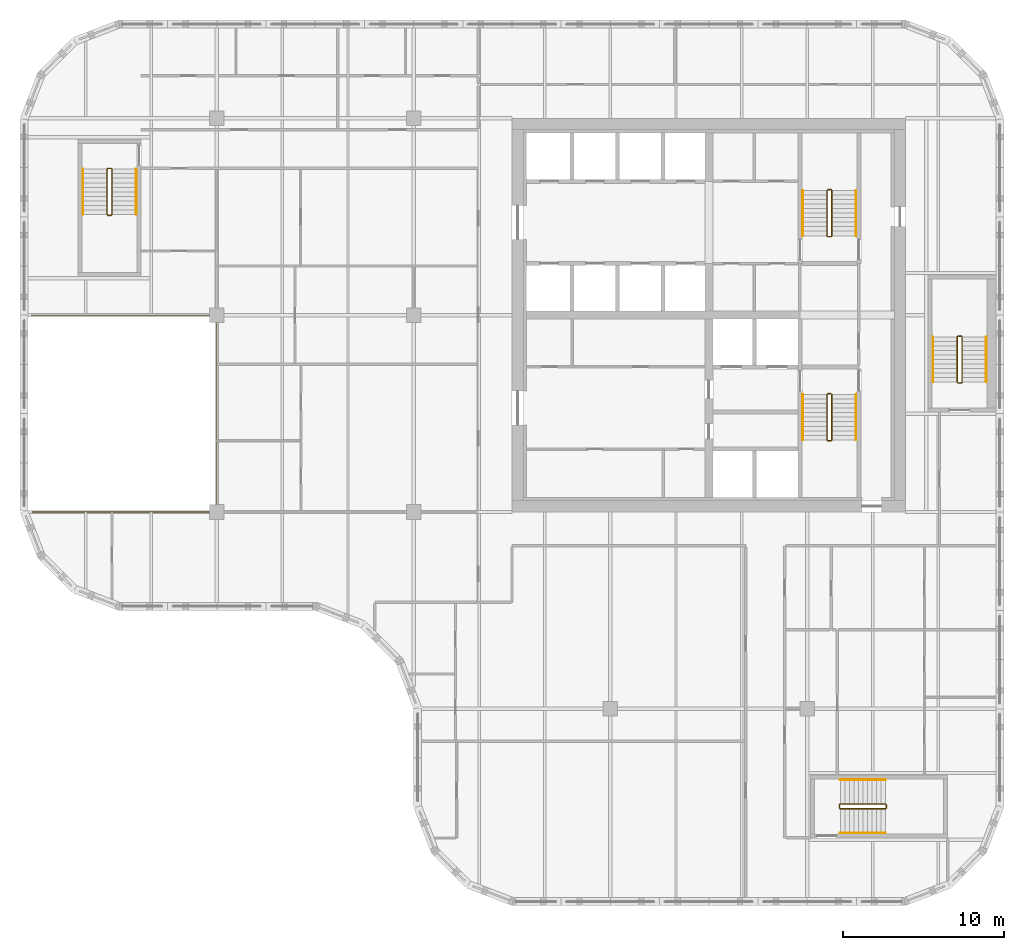
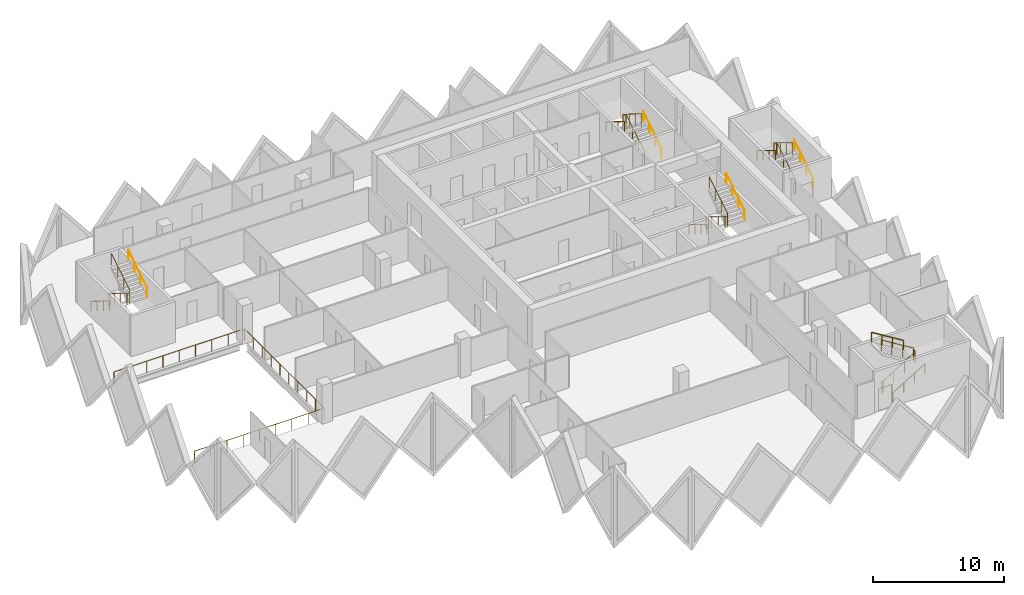
# One storey, part 12 of 12: 16 railings.
"""IFC4 building model written with IfcOpenShell, lengths in metres."""

from ifc_helpers import new_model, si_unit, direction, frame, origin, origin_2d, place, context, subcontext, project, spatial, circle, extrude, material, type_object, element, save


model = new_model("IFC4")

# Units and contexts
model_context = context("Model", 3, precision=1e-05, world=origin(), true_north=direction((0.0, 1.0)))
body_context = subcontext(model_context, "Body", "Model", "MODEL_VIEW")
ifc_project = project(units=[si_unit("LENGTHUNIT", "METRE"), si_unit("AREAUNIT", "SQUARE_METRE"), si_unit("VOLUMEUNIT", "CUBIC_METRE"), si_unit("PLANEANGLEUNIT", "RADIAN"), si_unit("MASSUNIT", "GRAM", prefix="KILO")], contexts=[model_context])

# Site, building, storey
site_placement = place(None, origin())
site = spatial("IfcSite", under=ifc_project, at=site_placement, CompositionType="ELEMENT")
building_placement = place(site_placement, origin())
building = spatial("IfcBuilding", under=site, at=building_placement, Name="Tessera Gate Towers", CompositionType="ELEMENT")
storey_placement = place(building_placement, frame((0.0, 0.0, 135.39990234375)))
storey = spatial("IfcBuildingStorey", under=building, at=storey_placement, Name="L33", CompositionType="ELEMENT", Elevation=135.39990234375)

# Railings
ifc_material_1 = material(Name="Toughened glass with stainless steel handrail", Category="steel")
railing_type_1 = type_object("IfcRailingType", Name="GUARD 1100 GLASS BALUSTRADE", PredefinedType="GUARDRAIL", material=ifc_material_1)
railing_1_placement = place(storey_placement, frame((0.750244140625, 24.39990234375, 0.0)))
element("IfcRailing", 1, at=railing_1_placement, inside=storey, type_object=railing_type_1, Name="Guard", PredefinedType="GUARDRAIL", context=body_context, shape_type="SweptSolid", body=[
    extrude(circle(Radius=0.02490234375, at=origin_2d()), frame((0.0, 0.0, 1.0751953125), z_axis=(1.0, 0.0, 0.0), x_axis=(0.0, 1.0, 0.0)), (0.0, 0.0, 1.0), 11.44970703125),
    extrude(circle(Radius=0.02490234375, at=origin_2d()), frame((11.44970703125, 0.0, 1.0751953125), z_axis=(0.0, 1.0, 0.0), x_axis=(-1.0, 0.0, 0.0)), (0.0, 0.0, 1.0), 12.2001953125),
    extrude(circle(Radius=0.02490234375, at=origin_2d()), frame((11.44970703125, 12.2001953125, 1.0751953125), z_axis=(-1.0, 0.0, 0.0), x_axis=(0.0, -1.0, 0.0)), (0.0, 0.0, 1.0), 11.5),
    extrude(circle(Radius=0.02490234375, at=origin_2d()), origin(), (0.0, 0.0, 1.0), 1.050048828125),
    extrude(circle(Radius=0.02490234375, at=origin_2d()), frame((1.43115234375, 0.0, 0.0)), (0.0, 0.0, 1.0), 1.050048828125),
    extrude(circle(Radius=0.02490234375, at=origin_2d()), frame((2.8623046875, 0.0, 0.0)), (0.0, 0.0, 1.0), 1.050048828125),
    extrude(circle(Radius=0.02490234375, at=origin_2d()), frame((4.293701171875, 0.0, 0.0)), (0.0, 0.0, 1.0), 1.050048828125),
    extrude(circle(Radius=0.02490234375, at=origin_2d()), frame((5.724853515625, 0.0, 0.0)), (0.0, 0.0, 1.0), 1.050048828125),
    extrude(circle(Radius=0.02490234375, at=origin_2d()), frame((7.156005859375, 0.0, 0.0)), (0.0, 0.0, 1.0), 1.050048828125),
    extrude(circle(Radius=0.02490234375, at=origin_2d()), frame((8.58740234375, 0.0, 0.0)), (0.0, 0.0, 1.0), 1.050048828125),
    extrude(circle(Radius=0.02490234375, at=origin_2d()), frame((10.0185546875, 0.0, 0.0)), (0.0, 0.0, 1.0), 1.050048828125),
    extrude(circle(Radius=0.02490234375, at=origin_2d()), frame((11.44970703125, 0.0, 0.0)), (0.0, 0.0, 1.0), 1.050048828125),
    extrude(circle(Radius=0.02490234375, at=origin_2d()), frame((11.44970703125, 1.35546875, 0.0)), (0.0, 0.0, 1.0), 1.050048828125),
    extrude(circle(Radius=0.02490234375, at=origin_2d()), frame((11.44970703125, 2.711181640625, 0.0)), (0.0, 0.0, 1.0), 1.050048828125),
    extrude(circle(Radius=0.02490234375, at=origin_2d()), frame((11.44970703125, 4.066650390625, 0.0)), (0.0, 0.0, 1.0), 1.050048828125),
    extrude(circle(Radius=0.02490234375, at=origin_2d()), frame((11.44970703125, 5.42236328125, 0.0)), (0.0, 0.0, 1.0), 1.050048828125),
    extrude(circle(Radius=0.02490234375, at=origin_2d()), frame((11.44970703125, 6.77783203125, 0.0)), (0.0, 0.0, 1.0), 1.050048828125),
    extrude(circle(Radius=0.02490234375, at=origin_2d()), frame((11.44970703125, 8.133544921875, 0.0)), (0.0, 0.0, 1.0), 1.050048828125),
    extrude(circle(Radius=0.02490234375, at=origin_2d()), frame((11.44970703125, 9.489013671875, 0.0)), (0.0, 0.0, 1.0), 1.050048828125),
    extrude(circle(Radius=0.02490234375, at=origin_2d()), frame((11.44970703125, 10.8447265625, 0.0)), (0.0, 0.0, 1.0), 1.050048828125),
    extrude(circle(Radius=0.02490234375, at=origin_2d()), frame((11.44970703125, 12.2001953125, 0.0)), (0.0, 0.0, 1.0), 1.050048828125),
    extrude(circle(Radius=0.02490234375, at=origin_2d()), frame((10.01220703125, 12.2001953125, 0.0)), (0.0, 0.0, 1.0), 1.050048828125),
    extrude(circle(Radius=0.02490234375, at=origin_2d()), frame((8.57470703125, 12.2001953125, 0.0)), (0.0, 0.0, 1.0), 1.050048828125),
    extrude(circle(Radius=0.02490234375, at=origin_2d()), frame((7.13720703125, 12.2001953125, 0.0)), (0.0, 0.0, 1.0), 1.050048828125),
    extrude(circle(Radius=0.02490234375, at=origin_2d()), frame((5.69970703125, 12.2001953125, 0.0)), (0.0, 0.0, 1.0), 1.050048828125),
    extrude(circle(Radius=0.02490234375, at=origin_2d()), frame((4.26220703125, 12.2001953125, 0.0)), (0.0, 0.0, 1.0), 1.050048828125),
    extrude(circle(Radius=0.02490234375, at=origin_2d()), frame((2.82470703125, 12.2001953125, 0.0)), (0.0, 0.0, 1.0), 1.050048828125),
    extrude(circle(Radius=0.02490234375, at=origin_2d()), frame((1.38720703125, 12.2001953125, 0.0)), (0.0, 0.0, 1.0), 1.050048828125),
    extrude(circle(Radius=0.02490234375, at=origin_2d()), frame((-0.05029296875, 12.2001953125, 0.0)), (0.0, 0.0, 1.0), 1.050048828125),
])
ifc_material_2 = material(Name="Steel 350W", Category="steel")
railing_type_2 = type_object("IfcRailingType", Name="STAIR GUARD 1100", PredefinedType="GUARDRAIL", material=ifc_material_2)
railing_2_placement = place(storey_placement, frame((50.27490234375, 31.72509765625, 0.0)))
element("IfcRailing", 2, at=railing_2_placement, inside=storey, type_object=railing_type_2, Name="L33 ST1 stair guard 1", PredefinedType="GUARDRAIL", context=body_context, shape_type="SweptSolid", body=[
    extrude(circle(Radius=0.02392578125, at=origin_2d()), frame((0.0, 0.0, 1.076171875), z_axis=(-1.0, 0.0, 0.0), x_axis=(0.0, -1.0, 0.0)), (0.0, 0.0, 1.0), 0.199951171875),
    extrude(circle(Radius=0.02392578125, at=origin_2d()), frame((-0.199951171875, 0.0, 1.076171875), z_axis=(-0.267953482034, -0.267953482034, 0.925419830635), x_axis=(0.707106781187, -0.707106781187, 0.0)), (0.0, 0.0, 1.0), 0.186767578125),
    extrude(circle(Radius=0.02392578125, at=origin_2d()), frame((-0.25, -0.050048828125, 1.2490234375), z_axis=(0.0, -0.851089632645, 0.525020415988), x_axis=(1.0, 0.0, 0.0)), (0.0, 0.0, 1.0), 3.2900390625),
    extrude(circle(Radius=0.02392578125, at=origin_2d()), frame((-0.25, -2.85009765625, 2.97607421875), z_axis=(0.707106781187, -0.707106781187, 0.0), x_axis=(0.707106781187, 0.707106781187, 0.0)), (0.0, 0.0, 1.0), 0.07080078125),
    extrude(circle(Radius=0.02392578125, at=origin_2d()), frame((-0.199951171875, -2.900146484375, 2.97607421875), z_axis=(1.0, 0.0, 0.0), x_axis=(0.0, 1.0, 0.0)), (0.0, 0.0, 1.0), 0.199951171875),
    extrude(circle(Radius=0.02392578125, at=origin_2d()), frame((0.0, -2.900146484375, 2.97607421875), z_axis=(0.268277960024, 0.268277960024, 0.925231793839), x_axis=(-0.707106781187, 0.707106781187, 0.0)), (0.0, 0.0, 1.0), 0.1865234375),
    extrude(circle(Radius=0.02392578125, at=origin_2d()), frame((0.050048828125, -2.85009765625, 3.14892578125), z_axis=(0.0, 0.851089632645, 0.525020415988), x_axis=(-1.0, 0.0, 0.0)), (0.0, 0.0, 1.0), 3.2900390625),
    extrude(circle(Radius=0.02099609375, at=origin_2d()), origin(), (0.0, 0.0, 1.0), 1.052001953125),
    extrude(circle(Radius=0.02099609375, at=origin_2d()), frame((-0.199951171875, 0.0, 0.0)), (0.0, 0.0, 1.0), 1.052001953125),
    extrude(circle(Radius=0.02099609375, at=origin_2d()), frame((-0.25, -0.050048828125, 0.1728515625)), (0.0, 0.0, 1.0), 1.052001953125),
    extrude(circle(Radius=0.02099609375, at=origin_2d()), frame((-0.25, -0.9833984375, 0.74853515625)), (0.0, 0.0, 1.0), 1.052001953125),
    extrude(circle(Radius=0.02099609375, at=origin_2d()), frame((-0.25, -1.916748046875, 1.324462890625)), (0.0, 0.0, 1.0), 1.052001953125),
    extrude(circle(Radius=0.02099609375, at=origin_2d()), frame((-0.25, -2.85009765625, 1.900146484375)), (0.0, 0.0, 1.0), 1.052001953125),
    extrude(circle(Radius=0.02099609375, at=origin_2d()), frame((-0.199951171875, -2.900146484375, 1.900146484375)), (0.0, 0.0, 1.0), 1.052001953125),
    extrude(circle(Radius=0.02099609375, at=origin_2d()), frame((0.0, -2.900146484375, 1.900146484375)), (0.0, 0.0, 1.0), 1.052001953125),
    extrude(circle(Radius=0.02099609375, at=origin_2d()), frame((0.050048828125, -2.85009765625, 2.07275390625)), (0.0, 0.0, 1.0), 1.052001953125),
    extrude(circle(Radius=0.02099609375, at=origin_2d()), frame((0.050048828125, -1.916748046875, 2.6484375)), (0.0, 0.0, 1.0), 1.052001953125),
    extrude(circle(Radius=0.02099609375, at=origin_2d()), frame((0.050048828125, -0.9833984375, 3.224365234375)), (0.0, 0.0, 1.0), 1.052001953125),
    extrude(circle(Radius=0.02099609375, at=origin_2d()), frame((0.050048828125, -0.050048828125, 3.800048828125)), (0.0, 0.0, 1.0), 1.052001953125),
])
railing_3_placement = place(storey_placement, frame((50.074951171875, 41.47509765625, 0.0)))
element("IfcRailing", 3, at=railing_3_placement, inside=storey, type_object=railing_type_2, Name="L33 ST2 stair guard 1", PredefinedType="GUARDRAIL", context=body_context, shape_type="SweptSolid", body=[
    extrude(circle(Radius=0.02392578125, at=origin_2d()), frame((0.0, 0.0, 1.076171875), z_axis=(1.0, 0.0, 0.0), x_axis=(0.0, 1.0, 0.0)), (0.0, 0.0, 1.0), 0.199951171875),
    extrude(circle(Radius=0.02392578125, at=origin_2d()), frame((0.199951171875, 0.0, 1.076171875), z_axis=(0.268047150085, 0.266739603011, 0.925743328097), x_axis=(-0.705375805398, 0.708833529934, 0.0)), (0.0, 0.0, 1.0), 0.186767578125),
    extrude(circle(Radius=0.02392578125, at=origin_2d()), frame((0.25, 0.0498046875, 1.2490234375), z_axis=(0.0, 0.851089632645, 0.525020415988), x_axis=(-1.0, 0.0, 0.0)), (0.0, 0.0, 1.0), 3.2900390625),
    extrude(circle(Radius=0.02392578125, at=origin_2d()), frame((0.25, 2.849853515625, 2.97607421875), z_axis=(-0.707106781187, 0.707106781187, 0.0), x_axis=(-0.707106781187, -0.707106781187, 0.0)), (0.0, 0.0, 1.0), 0.07080078125),
    extrude(circle(Radius=0.02392578125, at=origin_2d()), frame((0.199951171875, 2.89990234375, 2.97607421875), z_axis=(-1.0, 0.0, 0.0), x_axis=(0.0, -1.0, 0.0)), (0.0, 0.0, 1.0), 0.199951171875),
    extrude(circle(Radius=0.02392578125, at=origin_2d()), frame((0.0, 2.89990234375, 2.97607421875), z_axis=(-0.268277960024, -0.268277960024, 0.925231793839), x_axis=(0.707106781187, -0.707106781187, 0.0)), (0.0, 0.0, 1.0), 0.1865234375),
    extrude(circle(Radius=0.02392578125, at=origin_2d()), frame((-0.050048828125, 2.849853515625, 3.14892578125), z_axis=(0.0, -0.851089632645, 0.525020415988), x_axis=(1.0, 0.0, 0.0)), (0.0, 0.0, 1.0), 3.2900390625),
    extrude(circle(Radius=0.02099609375, at=origin_2d()), origin(), (0.0, 0.0, 1.0), 1.052001953125),
    extrude(circle(Radius=0.02099609375, at=origin_2d()), frame((0.199951171875, 0.0, 0.0)), (0.0, 0.0, 1.0), 1.052001953125),
    extrude(circle(Radius=0.02099609375, at=origin_2d()), frame((0.25, 0.0498046875, 0.1728515625)), (0.0, 0.0, 1.0), 1.052001953125),
    extrude(circle(Radius=0.02099609375, at=origin_2d()), frame((0.25, 0.983154296875, 0.74853515625)), (0.0, 0.0, 1.0), 1.052001953125),
    extrude(circle(Radius=0.02099609375, at=origin_2d()), frame((0.25, 1.91650390625, 1.324462890625)), (0.0, 0.0, 1.0), 1.052001953125),
    extrude(circle(Radius=0.02099609375, at=origin_2d()), frame((0.25, 2.849853515625, 1.900146484375)), (0.0, 0.0, 1.0), 1.052001953125),
    extrude(circle(Radius=0.02099609375, at=origin_2d()), frame((0.199951171875, 2.89990234375, 1.900146484375)), (0.0, 0.0, 1.0), 1.052001953125),
    extrude(circle(Radius=0.02099609375, at=origin_2d()), frame((0.0, 2.89990234375, 1.900146484375)), (0.0, 0.0, 1.0), 1.052001953125),
    extrude(circle(Radius=0.02099609375, at=origin_2d()), frame((-0.050048828125, 2.849853515625, 2.07275390625)), (0.0, 0.0, 1.0), 1.052001953125),
    extrude(circle(Radius=0.02099609375, at=origin_2d()), frame((-0.050048828125, 1.91650390625, 2.6484375)), (0.0, 0.0, 1.0), 1.052001953125),
    extrude(circle(Radius=0.02099609375, at=origin_2d()), frame((-0.050048828125, 0.983154296875, 3.224365234375)), (0.0, 0.0, 1.0), 1.052001953125),
    extrude(circle(Radius=0.02099609375, at=origin_2d()), frame((-0.050048828125, 0.0498046875, 3.800048828125)), (0.0, 0.0, 1.0), 1.052001953125),
])
railing_4_placement = place(storey_placement, frame((5.64990234375, 45.699951171875, 0.0)))
element("IfcRailing", 4, at=railing_4_placement, inside=storey, type_object=railing_type_2, Name="L33 ST3 stair guard 1", PredefinedType="GUARDRAIL", context=body_context, shape_type="SweptSolid", body=[
    extrude(circle(Radius=0.02392578125, at=origin_2d()), frame((0.0, 0.0, 1.076171875), z_axis=(-1.0, 0.0, 0.0), x_axis=(0.0, -1.0, 0.0)), (0.0, 0.0, 1.0), 0.199951171875),
    extrude(circle(Radius=0.02392578125, at=origin_2d()), frame((-0.199951171875, 0.0, 1.076171875), z_axis=(-0.267953482034, -0.267953482034, 0.925419830635), x_axis=(0.707106781187, -0.707106781187, 0.0)), (0.0, 0.0, 1.0), 0.186767578125),
    extrude(circle(Radius=0.02392578125, at=origin_2d()), frame((-0.25, -0.050048828125, 1.2490234375), z_axis=(0.0, -0.851069175582, 0.525053576669), x_axis=(1.0, 0.0, 0.0)), (0.0, 0.0, 1.0), 3.289794921875),
    extrude(circle(Radius=0.02392578125, at=origin_2d()), frame((-0.25, -2.849853515625, 2.97607421875), z_axis=(0.707106781187, -0.707106781187, 0.0), x_axis=(0.707106781187, 0.707106781187, 0.0)), (0.0, 0.0, 1.0), 0.07080078125),
    extrude(circle(Radius=0.02392578125, at=origin_2d()), frame((-0.199951171875, -2.89990234375, 2.97607421875), z_axis=(1.0, 0.0, 0.0), x_axis=(0.0, 1.0, 0.0)), (0.0, 0.0, 1.0), 0.199951171875),
    extrude(circle(Radius=0.02392578125, at=origin_2d()), frame((0.0, -2.89990234375, 2.97607421875), z_axis=(0.268277960024, 0.268277960024, 0.925231793839), x_axis=(-0.707106781187, 0.707106781187, 0.0)), (0.0, 0.0, 1.0), 0.1865234375),
    extrude(circle(Radius=0.02392578125, at=origin_2d()), frame((0.050048828125, -2.849853515625, 3.14892578125), z_axis=(0.0, 0.851069175582, 0.525053576669), x_axis=(-1.0, 0.0, 0.0)), (0.0, 0.0, 1.0), 3.289794921875),
    extrude(circle(Radius=0.02099609375, at=origin_2d()), origin(), (0.0, 0.0, 1.0), 1.052001953125),
    extrude(circle(Radius=0.02099609375, at=origin_2d()), frame((-0.199951171875, 0.0, 0.0)), (0.0, 0.0, 1.0), 1.052001953125),
    extrude(circle(Radius=0.02099609375, at=origin_2d()), frame((-0.25, -0.050048828125, 0.1728515625)), (0.0, 0.0, 1.0), 1.052001953125),
    extrude(circle(Radius=0.02099609375, at=origin_2d()), frame((-0.25, -0.9833984375, 0.74853515625)), (0.0, 0.0, 1.0), 1.052001953125),
    extrude(circle(Radius=0.02099609375, at=origin_2d()), frame((-0.25, -1.91650390625, 1.324462890625)), (0.0, 0.0, 1.0), 1.052001953125),
    extrude(circle(Radius=0.02099609375, at=origin_2d()), frame((-0.25, -2.849853515625, 1.900146484375)), (0.0, 0.0, 1.0), 1.052001953125),
    extrude(circle(Radius=0.02099609375, at=origin_2d()), frame((-0.199951171875, -2.89990234375, 1.900146484375)), (0.0, 0.0, 1.0), 1.052001953125),
    extrude(circle(Radius=0.02099609375, at=origin_2d()), frame((0.0, -2.89990234375, 1.900146484375)), (0.0, 0.0, 1.0), 1.052001953125),
    extrude(circle(Radius=0.02099609375, at=origin_2d()), frame((0.050048828125, -2.849853515625, 2.07275390625)), (0.0, 0.0, 1.0), 1.052001953125),
    extrude(circle(Radius=0.02099609375, at=origin_2d()), frame((0.050048828125, -1.91650390625, 2.6484375)), (0.0, 0.0, 1.0), 1.052001953125),
    extrude(circle(Radius=0.02099609375, at=origin_2d()), frame((0.050048828125, -0.9833984375, 3.224365234375)), (0.0, 0.0, 1.0), 1.052001953125),
    extrude(circle(Radius=0.02099609375, at=origin_2d()), frame((0.050048828125, -0.050048828125, 3.800048828125)), (0.0, 0.0, 1.0), 1.052001953125),
])
railing_5_placement = place(storey_placement, frame((50.800048828125, 6.25, 0.0)))
element("IfcRailing", 5, at=railing_5_placement, inside=storey, type_object=railing_type_2, Name="L33 ST4 stair guard 1", PredefinedType="GUARDRAIL", context=body_context, shape_type="SweptSolid", body=[
    extrude(circle(Radius=0.02392578125, at=origin_2d()), frame((0.0, 0.0, 1.076171875), z_axis=(0.0, -1.0, 0.0), x_axis=(1.0, 0.0, 0.0)), (0.0, 0.0, 1.0), 0.199951171875),
    extrude(circle(Radius=0.02392578125, at=origin_2d()), frame((0.0, -0.199951171875, 1.076171875), z_axis=(0.267953482034, -0.267953482034, 0.925419830635), x_axis=(0.707106781187, 0.707106781187, 0.0)), (0.0, 0.0, 1.0), 0.186767578125),
    extrude(circle(Radius=0.02392578125, at=origin_2d()), frame((0.050048828125, -0.25, 1.2490234375), z_axis=(0.851069175582, 0.0, 0.525053576669), x_axis=(0.0, 1.0, 0.0)), (0.0, 0.0, 1.0), 3.289794921875),
    extrude(circle(Radius=0.02392578125, at=origin_2d()), frame((2.849853515625, -0.25, 2.97607421875), z_axis=(0.707106781187, 0.707106781187, 0.0), x_axis=(-0.707106781187, 0.707106781187, 0.0)), (0.0, 0.0, 1.0), 0.07080078125),
    extrude(circle(Radius=0.02392578125, at=origin_2d()), frame((2.89990234375, -0.199951171875, 2.97607421875), z_axis=(0.0, 1.0, 0.0), x_axis=(-1.0, 0.0, 0.0)), (0.0, 0.0, 1.0), 0.199951171875),
    extrude(circle(Radius=0.02392578125, at=origin_2d()), frame((2.89990234375, 0.0, 2.97607421875), z_axis=(-0.268277960024, 0.268277960024, 0.925231793839), x_axis=(-0.707106781187, -0.707106781187, 0.0)), (0.0, 0.0, 1.0), 0.1865234375),
    extrude(circle(Radius=0.02392578125, at=origin_2d()), frame((2.849853515625, 0.050048828125, 3.14892578125), z_axis=(-0.851069175582, 0.0, 0.525053576669), x_axis=(0.0, -1.0, 0.0)), (0.0, 0.0, 1.0), 3.289794921875),
    extrude(circle(Radius=0.02099609375, at=origin_2d()), origin(), (0.0, 0.0, 1.0), 1.052001953125),
    extrude(circle(Radius=0.02099609375, at=origin_2d()), frame((0.0, -0.199951171875, 0.0)), (0.0, 0.0, 1.0), 1.052001953125),
    extrude(circle(Radius=0.02099609375, at=origin_2d()), frame((0.050048828125, -0.25, 0.1728515625)), (0.0, 0.0, 1.0), 1.052001953125),
    extrude(circle(Radius=0.02099609375, at=origin_2d()), frame((0.9833984375, -0.25, 0.74853515625)), (0.0, 0.0, 1.0), 1.052001953125),
    extrude(circle(Radius=0.02099609375, at=origin_2d()), frame((1.91650390625, -0.25, 1.324462890625)), (0.0, 0.0, 1.0), 1.052001953125),
    extrude(circle(Radius=0.02099609375, at=origin_2d()), frame((2.849853515625, -0.25, 1.900146484375)), (0.0, 0.0, 1.0), 1.052001953125),
    extrude(circle(Radius=0.02099609375, at=origin_2d()), frame((2.89990234375, -0.199951171875, 1.900146484375)), (0.0, 0.0, 1.0), 1.052001953125),
    extrude(circle(Radius=0.02099609375, at=origin_2d()), frame((2.89990234375, 0.0, 1.900146484375)), (0.0, 0.0, 1.0), 1.052001953125),
    extrude(circle(Radius=0.02099609375, at=origin_2d()), frame((2.849853515625, 0.050048828125, 2.07275390625)), (0.0, 0.0, 1.0), 1.052001953125),
    extrude(circle(Radius=0.02099609375, at=origin_2d()), frame((1.91650390625, 0.050048828125, 2.6484375)), (0.0, 0.0, 1.0), 1.052001953125),
    extrude(circle(Radius=0.02099609375, at=origin_2d()), frame((0.9833984375, 0.050048828125, 3.224365234375)), (0.0, 0.0, 1.0), 1.052001953125),
    extrude(circle(Radius=0.02099609375, at=origin_2d()), frame((0.050048828125, 0.050048828125, 3.800048828125)), (0.0, 0.0, 1.0), 1.052001953125),
])
railing_6_placement = place(storey_placement, frame((58.14990234375, 32.39990234375, 0.0)))
element("IfcRailing", 6, at=railing_6_placement, inside=storey, type_object=railing_type_2, Name="L33 ST5 stair guard 1", PredefinedType="GUARDRAIL", context=body_context, shape_type="SweptSolid", body=[
    extrude(circle(Radius=0.02392578125, at=origin_2d()), frame((0.0, 0.0, 1.076171875), z_axis=(1.0, 0.0, 0.0), x_axis=(0.0, 1.0, 0.0)), (0.0, 0.0, 1.0), 0.2001953125),
    extrude(circle(Radius=0.02392578125, at=origin_2d()), frame((0.2001953125, 0.0, 1.076171875), z_axis=(0.266739603011, 0.268047150085, 0.925743328097), x_axis=(-0.708833529934, 0.705375805398, 0.0)), (0.0, 0.0, 1.0), 0.186767578125),
    extrude(circle(Radius=0.02392578125, at=origin_2d()), frame((0.25, 0.050048828125, 1.2490234375), z_axis=(0.0, 0.851089632645, 0.525020415988), x_axis=(-1.0, 0.0, 0.0)), (0.0, 0.0, 1.0), 3.2900390625),
    extrude(circle(Radius=0.02392578125, at=origin_2d()), frame((0.25, 2.85009765625, 2.97607421875), z_axis=(-0.705375805398, 0.708833529934, 0.0), x_axis=(-0.708833529934, -0.705375805398, 0.0)), (0.0, 0.0, 1.0), 0.070556640625),
    extrude(circle(Radius=0.02392578125, at=origin_2d()), frame((0.2001953125, 2.900146484375, 2.97607421875), z_axis=(-1.0, 0.0, 0.0), x_axis=(0.0, -1.0, 0.0)), (0.0, 0.0, 1.0), 0.2001953125),
    extrude(circle(Radius=0.02392578125, at=origin_2d()), frame((0.0, 2.900146484375, 2.97607421875), z_axis=(-0.267062837333, -0.268371968888, 0.925556009775), x_axis=(0.708833529934, -0.705375805398, 0.0)), (0.0, 0.0, 1.0), 0.1865234375),
    extrude(circle(Radius=0.02392578125, at=origin_2d()), frame((-0.0498046875, 2.85009765625, 3.14892578125), z_axis=(0.0, -0.851089632645, 0.525020415988), x_axis=(1.0, 0.0, 0.0)), (0.0, 0.0, 1.0), 3.2900390625),
    extrude(circle(Radius=0.02099609375, at=origin_2d()), origin(), (0.0, 0.0, 1.0), 1.052001953125),
    extrude(circle(Radius=0.02099609375, at=origin_2d()), frame((0.2001953125, 0.0, 0.0)), (0.0, 0.0, 1.0), 1.052001953125),
    extrude(circle(Radius=0.02099609375, at=origin_2d()), frame((0.25, 0.050048828125, 0.1728515625)), (0.0, 0.0, 1.0), 1.052001953125),
    extrude(circle(Radius=0.02099609375, at=origin_2d()), frame((0.25, 0.9833984375, 0.74853515625)), (0.0, 0.0, 1.0), 1.052001953125),
    extrude(circle(Radius=0.02099609375, at=origin_2d()), frame((0.25, 1.916748046875, 1.324462890625)), (0.0, 0.0, 1.0), 1.052001953125),
    extrude(circle(Radius=0.02099609375, at=origin_2d()), frame((0.25, 2.85009765625, 1.900146484375)), (0.0, 0.0, 1.0), 1.052001953125),
    extrude(circle(Radius=0.02099609375, at=origin_2d()), frame((0.2001953125, 2.900146484375, 1.900146484375)), (0.0, 0.0, 1.0), 1.052001953125),
    extrude(circle(Radius=0.02099609375, at=origin_2d()), frame((0.0, 2.900146484375, 1.900146484375)), (0.0, 0.0, 1.0), 1.052001953125),
    extrude(circle(Radius=0.02099609375, at=origin_2d()), frame((-0.0498046875, 2.85009765625, 2.07275390625)), (0.0, 0.0, 1.0), 1.052001953125),
    extrude(circle(Radius=0.02099609375, at=origin_2d()), frame((-0.0498046875, 1.916748046875, 2.6484375)), (0.0, 0.0, 1.0), 1.052001953125),
    extrude(circle(Radius=0.02099609375, at=origin_2d()), frame((-0.0498046875, 0.9833984375, 3.224365234375)), (0.0, 0.0, 1.0), 1.052001953125),
    extrude(circle(Radius=0.02099609375, at=origin_2d()), frame((-0.0498046875, 0.050048828125, 3.800048828125)), (0.0, 0.0, 1.0), 1.052001953125),
])
ifc_material_3 = material(Name="Steel 350W", Category="steel")
railing_type_3 = type_object("IfcRailingType", Name="STAIR HANDRAIL 900", PredefinedType="HANDRAIL", material=ifc_material_3)
railing_7_placement = place(storey_placement, frame((48.52490234375, 31.675048828125, 0.1728515625)))
element("IfcRailing", 7, at=railing_7_placement, inside=storey, type_object=railing_type_3, Name="L33 ST1 stair handrail 1", PredefinedType="HANDRAIL", context=body_context, shape_type="SweptSolid", body=[
    extrude(circle(Radius=0.02392578125, at=origin_2d()), frame((0.0, 0.0, 0.8759765625), z_axis=(0.0, -0.851089632645, 0.525020415988), x_axis=(1.0, 0.0, 0.0)), (0.0, 0.0, 1.0), 3.2900390625),
    extrude(circle(Radius=0.02099609375, at=origin_2d()), origin(), (0.0, 0.0, 1.0), 0.851806640625),
    extrude(circle(Radius=0.02099609375, at=origin_2d()), frame((0.0, -0.933349609375, 0.57568359375)), (0.0, 0.0, 1.0), 0.851806640625),
    extrude(circle(Radius=0.02099609375, at=origin_2d()), frame((0.0, -1.86669921875, 1.151611328125)), (0.0, 0.0, 1.0), 0.851806640625),
    extrude(circle(Radius=0.02099609375, at=origin_2d()), frame((0.0, -2.800048828125, 1.727294921875)), (0.0, 0.0, 1.0), 0.851806640625),
])
for number, where, name in (
    (8, (51.824951171875, 28.875, 2.07275390625), "L33 ST1 stair handrail 2"),
    (9, (51.824951171875, 41.52490234375, 0.1728515625), "L33 ST2 stair handrail 1"),
):
    element("IfcRailing", number, at=place(storey_placement, frame(where)), inside=storey, type_object=railing_type_3, Name=name, PredefinedType="HANDRAIL", context=body_context, shape_type="SweptSolid", body=[
        extrude(circle(Radius=0.02392578125, at=origin_2d()), frame((0.0, 0.0, 0.8759765625), z_axis=(0.0, 0.851089632645, 0.525020415988), x_axis=(-1.0, 0.0, 0.0)), (0.0, 0.0, 1.0), 3.2900390625),
        extrude(circle(Radius=0.02099609375, at=origin_2d()), origin(), (0.0, 0.0, 1.0), 0.851806640625),
        extrude(circle(Radius=0.02099609375, at=origin_2d()), frame((0.0, 0.933349609375, 0.57568359375)), (0.0, 0.0, 1.0), 0.851806640625),
        extrude(circle(Radius=0.02099609375, at=origin_2d()), frame((0.0, 1.86669921875, 1.151611328125)), (0.0, 0.0, 1.0), 0.851806640625),
        extrude(circle(Radius=0.02099609375, at=origin_2d()), frame((0.0, 2.800048828125, 1.727294921875)), (0.0, 0.0, 1.0), 0.851806640625),
    ])
railing_8_placement = place(storey_placement, frame((48.52490234375, 44.324951171875, 2.07275390625)))
element("IfcRailing", 10, at=railing_8_placement, inside=storey, type_object=railing_type_3, Name="L33 ST2 stair handrail 2", PredefinedType="HANDRAIL", context=body_context, shape_type="SweptSolid", body=[
    extrude(circle(Radius=0.02392578125, at=origin_2d()), frame((0.0, 0.0, 0.8759765625), z_axis=(0.0, -0.851089632645, 0.525020415988), x_axis=(1.0, 0.0, 0.0)), (0.0, 0.0, 1.0), 3.2900390625),
    extrude(circle(Radius=0.02099609375, at=origin_2d()), origin(), (0.0, 0.0, 1.0), 0.851806640625),
    extrude(circle(Radius=0.02099609375, at=origin_2d()), frame((0.0, -0.933349609375, 0.57568359375)), (0.0, 0.0, 1.0), 0.851806640625),
    extrude(circle(Radius=0.02099609375, at=origin_2d()), frame((0.0, -1.86669921875, 1.151611328125)), (0.0, 0.0, 1.0), 0.851806640625),
    extrude(circle(Radius=0.02099609375, at=origin_2d()), frame((0.0, -2.800048828125, 1.727294921875)), (0.0, 0.0, 1.0), 0.851806640625),
])
railing_9_placement = place(storey_placement, frame((3.89990234375, 45.64990234375, 0.1728515625)))
element("IfcRailing", 11, at=railing_9_placement, inside=storey, type_object=railing_type_3, Name="L33 ST3 stair handrail 1", PredefinedType="HANDRAIL", context=body_context, shape_type="SweptSolid", body=[
    extrude(circle(Radius=0.02392578125, at=origin_2d()), frame((0.0, 0.0, 0.8759765625), z_axis=(0.0, -0.851069175582, 0.525053576669), x_axis=(1.0, 0.0, 0.0)), (0.0, 0.0, 1.0), 3.289794921875),
    extrude(circle(Radius=0.02099609375, at=origin_2d()), origin(), (0.0, 0.0, 1.0), 0.851806640625),
    extrude(circle(Radius=0.02099609375, at=origin_2d()), frame((0.0, -0.933349609375, 0.57568359375)), (0.0, 0.0, 1.0), 0.851806640625),
    extrude(circle(Radius=0.02099609375, at=origin_2d()), frame((0.0, -1.866455078125, 1.151611328125)), (0.0, 0.0, 1.0), 0.851806640625),
    extrude(circle(Radius=0.02099609375, at=origin_2d()), frame((0.0, -2.7998046875, 1.727294921875)), (0.0, 0.0, 1.0), 0.851806640625),
])
railing_10_placement = place(storey_placement, frame((7.199951171875, 42.85009765625, 2.07275390625)))
element("IfcRailing", 12, at=railing_10_placement, inside=storey, type_object=railing_type_3, Name="L33 ST3 stair handrail 2", PredefinedType="HANDRAIL", context=body_context, shape_type="SweptSolid", body=[
    extrude(circle(Radius=0.02392578125, at=origin_2d()), frame((0.0, 0.0, 0.8759765625), z_axis=(0.0, 0.851069175582, 0.525053576669), x_axis=(-1.0, 0.0, 0.0)), (0.0, 0.0, 1.0), 3.289794921875),
    extrude(circle(Radius=0.02099609375, at=origin_2d()), origin(), (0.0, 0.0, 1.0), 0.851806640625),
    extrude(circle(Radius=0.02099609375, at=origin_2d()), frame((0.0, 0.933349609375, 0.57568359375)), (0.0, 0.0, 1.0), 0.851806640625),
    extrude(circle(Radius=0.02099609375, at=origin_2d()), frame((0.0, 1.866455078125, 1.151611328125)), (0.0, 0.0, 1.0), 0.851806640625),
    extrude(circle(Radius=0.02099609375, at=origin_2d()), frame((0.0, 2.7998046875, 1.727294921875)), (0.0, 0.0, 1.0), 0.851806640625),
])
railing_11_placement = place(storey_placement, frame((50.85009765625, 4.5, 0.1728515625)))
element("IfcRailing", 13, at=railing_11_placement, inside=storey, type_object=railing_type_3, Name="L33 ST4 stair handrail 1", PredefinedType="HANDRAIL", context=body_context, shape_type="SweptSolid", body=[
    extrude(circle(Radius=0.02392578125, at=origin_2d()), frame((0.0, 0.0, 0.8759765625), z_axis=(0.851069175582, 0.0, 0.525053576669), x_axis=(0.0, 1.0, 0.0)), (0.0, 0.0, 1.0), 3.289794921875),
    extrude(circle(Radius=0.02099609375, at=origin_2d()), origin(), (0.0, 0.0, 1.0), 0.851806640625),
    extrude(circle(Radius=0.02099609375, at=origin_2d()), frame((0.933349609375, 0.0, 0.57568359375)), (0.0, 0.0, 1.0), 0.851806640625),
    extrude(circle(Radius=0.02099609375, at=origin_2d()), frame((1.866455078125, 0.0, 1.151611328125)), (0.0, 0.0, 1.0), 0.851806640625),
    extrude(circle(Radius=0.02099609375, at=origin_2d()), frame((2.7998046875, 0.0, 1.727294921875)), (0.0, 0.0, 1.0), 0.851806640625),
])
railing_12_placement = place(storey_placement, frame((53.64990234375, 7.800048828125, 2.07275390625)))
element("IfcRailing", 14, at=railing_12_placement, inside=storey, type_object=railing_type_3, Name="L33 ST4 stair handrail 2", PredefinedType="HANDRAIL", context=body_context, shape_type="SweptSolid", body=[
    extrude(circle(Radius=0.02392578125, at=origin_2d()), frame((0.0, 0.0, 0.8759765625), z_axis=(-0.851069175582, 0.0, 0.525053576669), x_axis=(0.0, -1.0, 0.0)), (0.0, 0.0, 1.0), 3.289794921875),
    extrude(circle(Radius=0.02099609375, at=origin_2d()), origin(), (0.0, 0.0, 1.0), 0.851806640625),
    extrude(circle(Radius=0.02099609375, at=origin_2d()), frame((-0.933349609375, 0.0, 0.57568359375)), (0.0, 0.0, 1.0), 0.851806640625),
    extrude(circle(Radius=0.02099609375, at=origin_2d()), frame((-1.866455078125, 0.0, 1.151611328125)), (0.0, 0.0, 1.0), 0.851806640625),
    extrude(circle(Radius=0.02099609375, at=origin_2d()), frame((-2.7998046875, 0.0, 1.727294921875)), (0.0, 0.0, 1.0), 0.851806640625),
])
railing_13_placement = place(storey_placement, frame((59.89990234375, 32.449951171875, 0.1728515625)))
element("IfcRailing", 15, at=railing_13_placement, inside=storey, type_object=railing_type_3, Name="L33 ST5 stair handrail 1", PredefinedType="HANDRAIL", context=body_context, shape_type="SweptSolid", body=[
    extrude(circle(Radius=0.02392578125, at=origin_2d()), frame((0.0, 0.0, 0.8759765625), z_axis=(0.0, 0.851089632645, 0.525020415988), x_axis=(-1.0, 0.0, 0.0)), (0.0, 0.0, 1.0), 3.2900390625),
    extrude(circle(Radius=0.02099609375, at=origin_2d()), origin(), (0.0, 0.0, 1.0), 0.851806640625),
    extrude(circle(Radius=0.02099609375, at=origin_2d()), frame((0.0, 0.933349609375, 0.57568359375)), (0.0, 0.0, 1.0), 0.851806640625),
    extrude(circle(Radius=0.02099609375, at=origin_2d()), frame((0.0, 1.86669921875, 1.151611328125)), (0.0, 0.0, 1.0), 0.851806640625),
    extrude(circle(Radius=0.02099609375, at=origin_2d()), frame((0.0, 2.800048828125, 1.727294921875)), (0.0, 0.0, 1.0), 0.851806640625),
])
railing_14_placement = place(storey_placement, frame((56.60009765625, 35.25, 2.07275390625)))
element("IfcRailing", 16, at=railing_14_placement, inside=storey, type_object=railing_type_3, Name="L33 ST5 stair handrail 2", PredefinedType="HANDRAIL", context=body_context, shape_type="SweptSolid", body=[
    extrude(circle(Radius=0.02392578125, at=origin_2d()), frame((0.0, 0.0, 0.8759765625), z_axis=(0.0, -0.851089632645, 0.525020415988), x_axis=(1.0, 0.0, 0.0)), (0.0, 0.0, 1.0), 3.2900390625),
    extrude(circle(Radius=0.02099609375, at=origin_2d()), origin(), (0.0, 0.0, 1.0), 0.851806640625),
    extrude(circle(Radius=0.02099609375, at=origin_2d()), frame((0.0, -0.933349609375, 0.57568359375)), (0.0, 0.0, 1.0), 0.851806640625),
    extrude(circle(Radius=0.02099609375, at=origin_2d()), frame((0.0, -1.86669921875, 1.151611328125)), (0.0, 0.0, 1.0), 0.851806640625),
    extrude(circle(Radius=0.02099609375, at=origin_2d()), frame((0.0, -2.800048828125, 1.727294921875)), (0.0, 0.0, 1.0), 0.851806640625),
])

save(model, "model.ifc")
